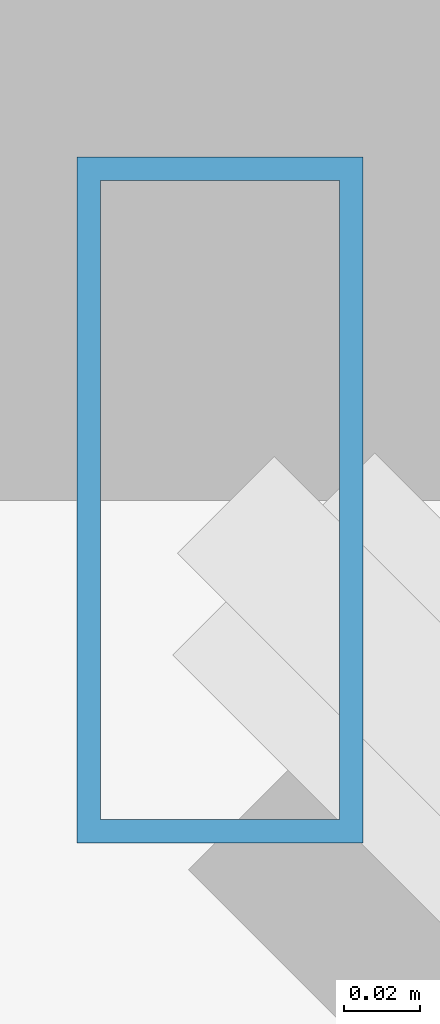
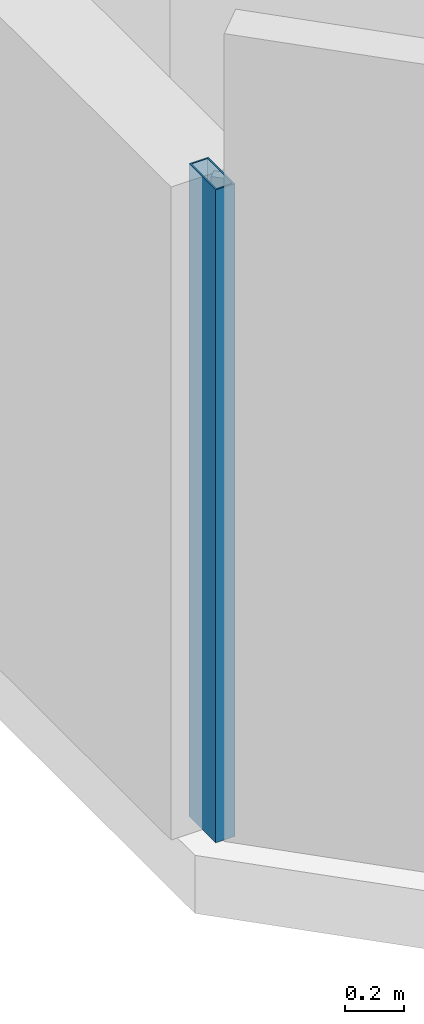
# One storey, part 8 of 35: 1 member, 1 element without a shape of its own.
"""IFC4 building model written with IfcOpenShell, lengths in metres."""

from ifc_helpers import new_model, si_unit, direction, frame, origin, origin_2d, place, context, subcontext, project, spatial, hollow_rectangle, extrude, material, material_profile, profile_set, type_object, element, aggregate, save


model = new_model("IFC4")

# Units and contexts
model_context = context("Model", 3, precision=1e-05, world=origin(), true_north=direction((0.0, 1.0)))
body_context = subcontext(model_context, "Body", "Model", "MODEL_VIEW")
ifc_project = project(units=[si_unit("LENGTHUNIT", "METRE"), si_unit("AREAUNIT", "SQUARE_METRE"), si_unit("VOLUMEUNIT", "CUBIC_METRE"), si_unit("PLANEANGLEUNIT", "RADIAN"), si_unit("MASSUNIT", "GRAM", prefix="KILO")], contexts=[model_context])

# Site, building, storey
site_placement = place(None, origin())
site = spatial("IfcSite", under=ifc_project, at=site_placement, CompositionType="ELEMENT")
building_placement = place(site_placement, origin())
building = spatial("IfcBuilding", under=site, at=building_placement, Name="Thornwick Lancets Civic Towers", CompositionType="ELEMENT")
storey_placement = place(building_placement, frame((0.0, 0.0, 265.5)))
storey = spatial("IfcBuildingStorey", under=building, at=storey_placement, Name="L71", CompositionType="ELEMENT", Elevation=265.5)

# Curtain wall, member
ifc_material_1 = material(Name="High-zone chamfered-corner unitised glass curtain wall", Category="glass")
curtain_wall_type = type_object("IfcCurtainWallType", Name="CW_SYS_05", PredefinedType="NOTDEFINED", material=ifc_material_1)
curtain_wall_placement = place(storey_placement, origin())
curtain_wall = element("IfcCurtainWall", 1, at=curtain_wall_placement, inside=storey, type_object=curtain_wall_type, Name="L71 Curtain Wall CW-L71-B-E7", PredefinedType="NOTDEFINED")
ifc_material_2 = material(Name="Thermally broken bronze aluminium S355", Category="steel")
ifc_material_profile = material_profile(ifc_material_2, hollow_rectangle(XDim=0.074951171875, YDim=0.179931640625, WallThickness=0.006103515625, at=origin_2d()), Name="RHS 180x75x6")
ifc_profile_set = profile_set([ifc_material_profile], Name="Thermally broken bronze aluminium S355")
member_type = type_object("IfcMemberType", Name="CW_MUL_180", PredefinedType="MULLION", material=ifc_profile_set)
member_placement = place(storey_placement, frame((70.7353515625, 11.818603515625, 0.0), z_axis=(0.0, 0.0, 1.0), x_axis=(1.0, 0.0, 0.0)))
member = element("IfcMember", 2, at=member_placement, type_object=member_type, Name="CW-L71-B-E7 Mullion 0", PredefinedType="MULLION", context=body_context, shape_type="SweptSolid", body=[
    extrude(hollow_rectangle(XDim=0.074951171875, YDim=0.179931640625, WallThickness=0.006103515625, at=origin_2d()), origin(), (0.0, 0.0, 1.0), 2.699951171875),
])
aggregate(curtain_wall, [member])

save(model, "model.ifc")
